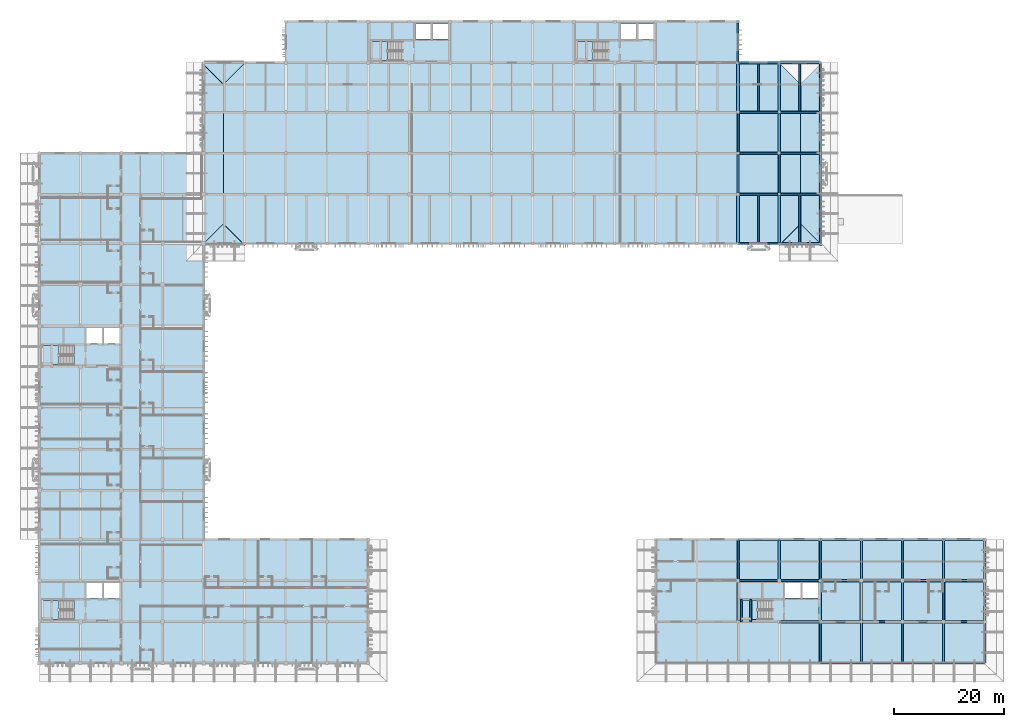
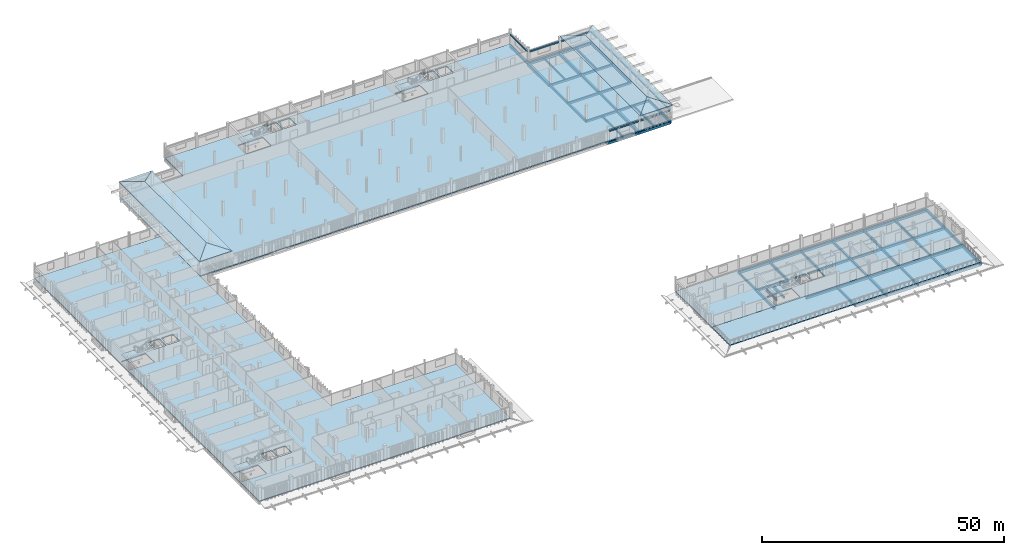
# One storey, part 10 of 43: 77 beams, 16 slabs, 7 elements without a shape of their own.
"""IFC4 building model written with IfcOpenShell, lengths in metres."""

from ifc_helpers import new_model, si_unit, direction, frame, origin, origin_2d, place, context, subcontext, project, spatial, polyline, rectangle, outline, extrude, material, layer, layer_set, material_profile, profile_set, type_object, element, aggregate, save


model = new_model("IFC4")

# Units and contexts
model_context = context("Model", 3, precision=1e-05, world=origin(), true_north=direction((0.0, 1.0)))
body_context = subcontext(model_context, "Body", "Model", "MODEL_VIEW")
ifc_project = project(units=[si_unit("LENGTHUNIT", "METRE"), si_unit("AREAUNIT", "SQUARE_METRE"), si_unit("VOLUMEUNIT", "CUBIC_METRE"), si_unit("PLANEANGLEUNIT", "RADIAN"), si_unit("MASSUNIT", "GRAM", prefix="KILO")], contexts=[model_context])

# Site, building, storey
site_placement = place(None, origin())
site = spatial("IfcSite", under=ifc_project, at=site_placement, CompositionType="ELEMENT")
building_placement = place(site_placement, origin())
building = spatial("IfcBuilding", under=site, at=building_placement, Name="Dalvernix Boulevard General Hospital", CompositionType="ELEMENT")
storey_placement = place(building_placement, frame((0.0, 0.0, 14.10009765625)))
storey = spatial("IfcBuildingStorey", under=building, at=storey_placement, Name="L03", CompositionType="ELEMENT", Elevation=14.10009765625)

# Beams
ifc_material_1 = material(Name="Concrete C35/45", Category="concrete")
ifc_material_profile_1 = material_profile(ifc_material_1, rectangle(XDim=0.5, YDim=0.699951171875, at=origin_2d()), Name="RCB 500x700")
ifc_profile_set_1 = profile_set([ifc_material_profile_1], Name="Concrete C35/45")
beam_type_1 = type_object("IfcBeamType", Name="BM-B-01-I", PredefinedType="BEAM", material=ifc_profile_set_1)
for number, where, z_axis, x_axis, name in (
    (1, (127.5, 76.5, -0.60009765625), (0.0, 1.0, 0.0), (-1.0, 0.0, 0.0), "L03 N-S girder 18:L-M"),
    (2, (127.5, 100.5, -0.60009765625), (0.0, 1.0, 0.0), (-1.0, 0.0, 0.0), "L03 N-S girder 18:P-Q"),
    (3, (135.0, 76.5, -0.60009765625), (0.0, 1.0, 0.0), (-1.0, 0.0, 0.0), "L03 N-S girder 19:L-M"),
    (4, (135.0, 100.5, -0.60009765625), (0.0, 1.0, 0.0), (-1.0, 0.0, 0.0), "L03 N-S girder 19:P-Q"),
):
    element("IfcBeam", number, at=place(storey_placement, frame(where, z_axis=z_axis, x_axis=x_axis)), inside=storey, type_object=beam_type_1, Name=name, PredefinedType="BEAM", context=body_context, shape_type="SweptSolid", body=[
        extrude(rectangle(XDim=0.5, YDim=0.699951171875, at=origin_2d()), origin(), (0.0, 0.0, 1.0), 9.0),
    ])
ifc_material_profile_2 = material_profile(ifc_material_1, rectangle(XDim=0.39990234375, YDim=0.550048828125, at=origin_2d()), Name="RCB 400x550")
ifc_profile_set_2 = profile_set([ifc_material_profile_2], Name="Concrete C35/45")
beam_type_2 = type_object("IfcBeamType", Name="BM-B-06-I", PredefinedType="BEAM", material=ifc_profile_set_2)
for number, where, z_axis, x_axis, name in (
    (5, (127.5, 7.5, -0.525146484375), (0.0, 1.0, 0.0), (-1.0, 0.0, 0.0), "L03 N-S girder 18:B-C"),
    (6, (127.5, 85.5, -0.525146484375), (0.0, 1.0, 0.0), (-1.0, 0.0, 0.0), "L03 N-S girder 18:M-N"),
    (7, (135.0, 15.0, -0.525146484375), (0.0, 1.0, 0.0), (-1.0, 0.0, 0.0), "L03 N-S girder 19:C-D"),
    (8, (135.0, 93.0, -0.525146484375), (0.0, 1.0, 0.0), (-1.0, 0.0, 0.0), "L03 N-S girder 19:N-P"),
    (9, (142.5, 7.5, -0.525146484375), (0.0, 1.0, 0.0), (-1.0, 0.0, 0.0), "L03 N-S girder 20:B-C"),
    (10, (150.0, 0.0, -0.525146484375), (0.0, 1.0, 0.0), (-1.0, 0.0, 0.0), "L03 N-S girder 21:A-B"),
    (11, (150.0, 15.0, -0.525146484375), (0.0, 1.0, 0.0), (-1.0, 0.0, 0.0), "L03 N-S girder 21:C-D"),
    (12, (157.5, 7.5, -0.525146484375), (0.0, 1.0, 0.0), (-1.0, 0.0, 0.0), "L03 N-S girder 22:B-C"),
    (13, (165.0, 0.0, -0.525146484375), (0.0, 1.0, 0.0), (-1.0, 0.0, 0.0), "L03 N-S girder 23:A-B"),
    (14, (165.0, 15.0, -0.525146484375), (0.0, 1.0, 0.0), (-1.0, 0.0, 0.0), "L03 N-S girder 23:C-D"),
):
    element("IfcBeam", number, at=place(storey_placement, frame(where, z_axis=z_axis, x_axis=x_axis)), inside=storey, type_object=beam_type_2, Name=name, PredefinedType="BEAM", context=body_context, shape_type="SweptSolid", body=[
        extrude(rectangle(XDim=0.39990234375, YDim=0.550048828125, at=origin_2d()), origin(), (0.0, 0.0, 1.0), 7.5),
    ])
ifc_material_profile_3 = material_profile(ifc_material_1, rectangle(XDim=0.35009765625, YDim=0.550048828125, at=origin_2d()), Name="RCB 350x550")
ifc_profile_set_3 = profile_set([ifc_material_profile_3], Name="Concrete C35/45")
beam_type_3 = type_object("IfcBeamType", Name="BM-B-07-I", PredefinedType="BEAM", material=ifc_profile_set_3)
for number, where, z_axis, x_axis, name in (
    (15, (135.0, 7.5, -0.525146484375), (1.0, 0.0, 0.0), (0.0, 1.0, 0.0), "L03 E-W girder B:19-20"),
    (16, (142.5, 7.5, -0.525146484375), (1.0, 0.0, 0.0), (0.0, 1.0, 0.0), "L03 E-W girder B:20-21"),
    (17, (150.0, 7.5, -0.525146484375), (1.0, 0.0, 0.0), (0.0, 1.0, 0.0), "L03 E-W girder B:21-22"),
    (18, (157.5, 7.5, -0.525146484375), (1.0, 0.0, 0.0), (0.0, 1.0, 0.0), "L03 E-W girder B:22-23"),
    (19, (165.0, 7.5, -0.525146484375), (1.0, 0.0, 0.0), (0.0, 1.0, 0.0), "L03 E-W girder B:23-24"),
    (20, (127.5, 15.0, -0.525146484375), (1.0, 0.0, 0.0), (0.0, 1.0, 0.0), "L03 E-W girder C:18-19"),
    (21, (135.0, 15.0, -0.525146484375), (1.0, 0.0, 0.0), (0.0, 1.0, 0.0), "L03 E-W girder C:19-20"),
    (22, (142.5, 15.0, -0.525146484375), (1.0, 0.0, 0.0), (0.0, 1.0, 0.0), "L03 E-W girder C:20-21"),
    (23, (150.0, 15.0, -0.525146484375), (1.0, 0.0, 0.0), (0.0, 1.0, 0.0), "L03 E-W girder C:21-22"),
    (24, (157.5, 15.0, -0.525146484375), (1.0, 0.0, 0.0), (0.0, 1.0, 0.0), "L03 E-W girder C:22-23"),
    (25, (165.0, 15.0, -0.525146484375), (1.0, 0.0, 0.0), (0.0, 1.0, 0.0), "L03 E-W girder C:23-24"),
    (26, (127.5, 85.5, -0.525146484375), (1.0, 0.0, 0.0), (0.0, 1.0, 0.0), "L03 E-W girder M:18-19"),
    (27, (135.0, 85.5, -0.525146484375), (1.0, 0.0, 0.0), (0.0, 1.0, 0.0), "L03 E-W girder M:19-20"),
    (28, (127.5, 93.0, -0.525146484375), (1.0, 0.0, 0.0), (0.0, 1.0, 0.0), "L03 E-W girder N:18-19"),
    (29, (135.0, 93.0, -0.525146484375), (1.0, 0.0, 0.0), (0.0, 1.0, 0.0), "L03 E-W girder N:19-20"),
    (30, (127.5, 100.5, -0.525146484375), (1.0, 0.0, 0.0), (0.0, 1.0, 0.0), "L03 E-W girder P:18-19"),
    (31, (135.0, 100.5, -0.525146484375), (1.0, 0.0, 0.0), (0.0, 1.0, 0.0), "L03 E-W girder P:19-20"),
):
    element("IfcBeam", number, at=place(storey_placement, frame(where, z_axis=z_axis, x_axis=x_axis)), inside=storey, type_object=beam_type_3, Name=name, PredefinedType="BEAM", context=body_context, shape_type="SweptSolid", body=[
        extrude(rectangle(XDim=0.35009765625, YDim=0.550048828125, at=origin_2d()), origin(), (0.0, 0.0, 1.0), 7.5),
    ])
ifc_material_profile_4 = material_profile(ifc_material_1, rectangle(XDim=0.35009765625, YDim=0.5, at=origin_2d()), Name="RCB 350x500")
ifc_profile_set_4 = profile_set([ifc_material_profile_4], Name="Concrete C35/45")
beam_type_4 = type_object("IfcBeamType", Name="BM-B-08", PredefinedType="BEAM", material=ifc_profile_set_4)
for number, where, z_axis, x_axis, name in (
    (32, (128.050048828125, 7.5, 1.4248046875), (0.0, 1.0, 0.0), (-1.0, 0.0, 0.0), "L03 C5 stair half-landing beam 1"),
    (33, (129.800048828125, 7.5, 1.4248046875), (0.0, 1.0, 0.0), (-1.0, 0.0, 0.0), "L03 C5 stair half-landing beam 2"),
):
    element("IfcBeam", number, at=place(storey_placement, frame(where, z_axis=z_axis, x_axis=x_axis)), inside=storey, type_object=beam_type_4, Name=name, PredefinedType="BEAM", context=body_context, shape_type="SweptSolid", body=[
        extrude(rectangle(XDim=0.35009765625, YDim=0.5, at=origin_2d()), origin(), (0.0, 0.0, 1.0), 4.10009765625),
    ])
ifc_material_profile_5 = material_profile(ifc_material_1, rectangle(XDim=0.35009765625, YDim=0.5, at=origin_2d()), Name="RCB 350x500")
ifc_profile_set_5 = profile_set([ifc_material_profile_5], Name="Concrete C35/45")
beam_type_5 = type_object("IfcBeamType", Name="BM-B-08-I", PredefinedType="BEAM", material=ifc_profile_set_5)
for number, where, z_axis, x_axis, name in (
    (34, (127.5, 15.0, -0.5), (0.0, 1.0, 0.0), (-1.0, 0.0, 0.0), "L03 N-S girder 18:C-D"),
    (35, (127.5, 93.0, -0.5), (0.0, 1.0, 0.0), (-1.0, 0.0, 0.0), "L03 N-S girder 18:N-P"),
    (36, (135.0, 85.5, -0.5), (0.0, 1.0, 0.0), (-1.0, 0.0, 0.0), "L03 N-S girder 19:M-N"),
    (37, (142.5, 0.0, -0.5), (0.0, 1.0, 0.0), (-1.0, 0.0, 0.0), "L03 N-S girder 20:A-B"),
    (38, (142.5, 15.0, -0.5), (0.0, 1.0, 0.0), (-1.0, 0.0, 0.0), "L03 N-S girder 20:C-D"),
    (39, (150.0, 7.5, -0.5), (0.0, 1.0, 0.0), (-1.0, 0.0, 0.0), "L03 N-S girder 21:B-C"),
    (40, (157.5, 0.0, -0.5), (0.0, 1.0, 0.0), (-1.0, 0.0, 0.0), "L03 N-S girder 22:A-B"),
    (41, (157.5, 15.0, -0.5), (0.0, 1.0, 0.0), (-1.0, 0.0, 0.0), "L03 N-S girder 22:C-D"),
    (42, (165.0, 7.5, -0.5), (0.0, 1.0, 0.0), (-1.0, 0.0, 0.0), "L03 N-S girder 23:B-C"),
):
    element("IfcBeam", number, at=place(storey_placement, frame(where, z_axis=z_axis, x_axis=x_axis)), inside=storey, type_object=beam_type_5, Name=name, PredefinedType="BEAM", context=body_context, shape_type="SweptSolid", body=[
        extrude(rectangle(XDim=0.35009765625, YDim=0.5, at=origin_2d()), origin(), (0.0, 0.0, 1.0), 7.5),
    ])
ifc_material_profile_6 = material_profile(ifc_material_1, rectangle(XDim=0.300048828125, YDim=0.39990234375, at=origin_2d()), Name="RCB 300x400")
ifc_profile_set_6 = profile_set([ifc_material_profile_6], Name="Concrete C35/45")
beam_type_6 = type_object("IfcBeamType", Name="BM-JB-01", PredefinedType="JOIST", material=ifc_profile_set_6)
for number, where, z_axis, x_axis, name in (
    (43, (131.25, 76.699951171875, -0.4501953125), (0.0, 1.0, 0.0), (-1.0, 0.0, 0.0), "L03 secondary floor beam 18-L"),
    (44, (131.25, 100.675048828125, -0.4501953125), (0.0, 1.0, 0.0), (-1.0, 0.0, 0.0), "L03 secondary floor beam 18-P"),
    (45, (138.75, 76.699951171875, -0.4501953125), (0.0, 1.0, 0.0), (-1.0, 0.0, 0.0), "L03 secondary floor beam 19-L"),
    (46, (138.75, 100.675048828125, -0.4501953125), (0.0, 1.0, 0.0), (-1.0, 0.0, 0.0), "L03 secondary floor beam 19-P"),
):
    element("IfcBeam", number, at=place(storey_placement, frame(where, z_axis=z_axis, x_axis=x_axis)), inside=storey, type_object=beam_type_6, Name=name, PredefinedType="JOIST", context=body_context, shape_type="SweptSolid", body=[
        extrude(rectangle(XDim=0.300048828125, YDim=0.39990234375, at=origin_2d()), origin(), (0.0, 0.0, 1.0), 8.625),
    ])
ifc_material_2 = material(Name="Precast concrete C40/50", Category="concrete")
ifc_material_profile_7 = material_profile(ifc_material_2, rectangle(XDim=0.300048828125, YDim=0.3798828125, at=origin_2d()), Name="RCL 300x380")
ifc_profile_set_7 = profile_set([ifc_material_profile_7], Name="Precast concrete C40/50")
beam_type_7 = type_object("IfcBeamType", Name="BM-LB-02", PredefinedType="LINTEL", material=ifc_profile_set_7)
beam_1_placement = place(storey_placement, frame((127.5, 116.715087890625, 2.489990234375), z_axis=(0.0, -1.0, 0.0), x_axis=(1.0, 0.0, 0.0)))
element("IfcBeam", 47, at=beam_1_placement, inside=storey, type_object=beam_type_7, Name="L03 precast window lintel E 17-14", PredefinedType="LINTEL", context=body_context, shape_type="SweptSolid", body=[
    extrude(rectangle(XDim=0.300048828125, YDim=0.3798828125, at=origin_2d()), origin(), (0.0, 0.0, 1.0), 6.955078125),
])
beam_2_placement = place(storey_placement, frame((134.764892578125, 76.5, 2.489990234375), z_axis=(-1.0, 0.0, 0.0), x_axis=(0.0, -1.0, 0.0)))
element("IfcBeam", 48, at=beam_2_placement, inside=storey, type_object=beam_type_7, Name="L03 precast window lintel S 17-10", PredefinedType="LINTEL", context=body_context, shape_type="SweptSolid", body=[
    extrude(rectangle(XDim=0.300048828125, YDim=0.3798828125, at=origin_2d()), origin(), (0.0, 0.0, 1.0), 7.02978515625),
])
beam_3_placement = place(storey_placement, frame((127.760009765625, 109.5, 2.489990234375), z_axis=(1.0, 0.0, 0.0), x_axis=(0.0, 1.0, 0.0)))
element("IfcBeam", 49, at=beam_3_placement, inside=storey, type_object=beam_type_7, Name="L03 precast window lintel N 17-14", PredefinedType="LINTEL", context=body_context, shape_type="SweptSolid", body=[
    extrude(rectangle(XDim=0.300048828125, YDim=0.3798828125, at=origin_2d()), origin(), (0.0, 0.0, 1.0), 6.955078125),
])
beam_4_placement = place(storey_placement, frame((142.264892578125, 76.5, 2.489990234375), z_axis=(-1.0, 0.0, 0.0), x_axis=(0.0, -1.0, 0.0)))
element("IfcBeam", 50, at=beam_4_placement, inside=storey, type_object=beam_type_7, Name="L03 precast window lintel S 18-10", PredefinedType="LINTEL", context=body_context, shape_type="SweptSolid", body=[
    extrude(rectangle(XDim=0.300048828125, YDim=0.3798828125, at=origin_2d()), origin(), (0.0, 0.0, 1.0), 7.02978515625),
])
beam_5_placement = place(storey_placement, frame((142.5, 85.264892578125, 2.489990234375), z_axis=(0.0, -1.0, 0.0), x_axis=(1.0, 0.0, 0.0)))
element("IfcBeam", 51, at=beam_5_placement, inside=storey, type_object=beam_type_7, Name="L03 precast window lintel E 19-10", PredefinedType="LINTEL", context=body_context, shape_type="SweptSolid", body=[
    extrude(rectangle(XDim=0.300048828125, YDim=0.3798828125, at=origin_2d()), origin(), (0.0, 0.0, 1.0), 8.52978515625),
])
for number, where, z_axis, x_axis, name in (
    (52, (142.5, 92.764892578125, 2.489990234375), (0.0, -1.0, 0.0), (1.0, 0.0, 0.0), "L03 precast window lintel E 19-11"),
    (53, (142.5, 100.264892578125, 2.489990234375), (0.0, -1.0, 0.0), (1.0, 0.0, 0.0), "L03 precast window lintel E 19-12"),
):
    element("IfcBeam", number, at=place(storey_placement, frame(where, z_axis=z_axis, x_axis=x_axis)), inside=storey, type_object=beam_type_7, Name=name, PredefinedType="LINTEL", context=body_context, shape_type="SweptSolid", body=[
        extrude(rectangle(XDim=0.300048828125, YDim=0.3798828125, at=origin_2d()), origin(), (0.0, 0.0, 1.0), 7.02978515625),
    ])
beam_6_placement = place(storey_placement, frame((135.284912109375, 109.5, 2.489990234375), z_axis=(1.0, 0.0, 0.0), x_axis=(0.0, 1.0, 0.0)))
element("IfcBeam", 54, at=beam_6_placement, inside=storey, type_object=beam_type_7, Name="L03 precast window lintel N 18-14", PredefinedType="LINTEL", context=body_context, shape_type="SweptSolid", body=[
    extrude(rectangle(XDim=0.300048828125, YDim=0.3798828125, at=origin_2d()), origin(), (0.0, 0.0, 1.0), 6.97998046875),
])
beam_7_placement = place(storey_placement, frame((142.5, 109.264892578125, 2.489990234375), z_axis=(0.0, -1.0, 0.0), x_axis=(1.0, 0.0, 0.0)))
element("IfcBeam", 55, at=beam_7_placement, inside=storey, type_object=beam_type_7, Name="L03 precast window lintel E 19-13", PredefinedType="LINTEL", context=body_context, shape_type="SweptSolid", body=[
    extrude(rectangle(XDim=0.300048828125, YDim=0.3798828125, at=origin_2d()), origin(), (0.0, 0.0, 1.0), 8.52978515625),
])
ifc_material_profile_8 = material_profile(ifc_material_1, rectangle(XDim=0.35009765625, YDim=0.550048828125, at=origin_2d()), Name="RCB 350x550")
ifc_profile_set_8 = profile_set([ifc_material_profile_8], Name="Concrete C35/45")
beam_type_8 = type_object("IfcBeamType", Name="BM-SB-01-E", PredefinedType="SPANDREL", material=ifc_profile_set_8)
for number, where, z_axis, x_axis, name in (
    (56, (142.5, 76.5, -0.525146484375), (0.0, 1.0, 0.0), (-1.0, 0.0, 0.0), "L03 N-S girder 20:L-M"),
    (57, (142.5, 100.5, -0.525146484375), (0.0, 1.0, 0.0), (-1.0, 0.0, 0.0), "L03 N-S girder 20:P-Q"),
):
    element("IfcBeam", number, at=place(storey_placement, frame(where, z_axis=z_axis, x_axis=x_axis)), inside=storey, type_object=beam_type_8, Name=name, PredefinedType="SPANDREL", context=body_context, shape_type="SweptSolid", body=[
        extrude(rectangle(XDim=0.35009765625, YDim=0.550048828125, at=origin_2d()), origin(), (0.0, 0.0, 1.0), 9.0),
    ])
ifc_material_profile_9 = material_profile(ifc_material_1, rectangle(XDim=0.39990234375, YDim=0.60009765625, at=origin_2d()), Name="RCB 400x600")
ifc_profile_set_9 = profile_set([ifc_material_profile_9], Name="Concrete C35/45")
beam_type_9 = type_object("IfcBeamType", Name="BM-SB-02-E", PredefinedType="SPANDREL", material=ifc_profile_set_9)
for number, where, z_axis, x_axis, name in (
    (58, (142.5, 0.0, -0.550048828125), (1.0, 0.0, 0.0), (0.0, 1.0, 0.0), "L03 E-W girder A:20-21"),
    (59, (150.0, 0.0, -0.550048828125), (1.0, 0.0, 0.0), (0.0, 1.0, 0.0), "L03 E-W girder A:21-22"),
    (60, (157.5, 0.0, -0.550048828125), (1.0, 0.0, 0.0), (0.0, 1.0, 0.0), "L03 E-W girder A:22-23"),
    (61, (165.0, 0.0, -0.550048828125), (1.0, 0.0, 0.0), (0.0, 1.0, 0.0), "L03 E-W girder A:23-24"),
    (62, (127.5, 22.5, -0.550048828125), (1.0, 0.0, 0.0), (0.0, 1.0, 0.0), "L03 E-W girder D:18-19"),
    (63, (135.0, 22.5, -0.550048828125), (1.0, 0.0, 0.0), (0.0, 1.0, 0.0), "L03 E-W girder D:19-20"),
    (64, (142.5, 22.5, -0.550048828125), (1.0, 0.0, 0.0), (0.0, 1.0, 0.0), "L03 E-W girder D:20-21"),
    (65, (150.0, 22.5, -0.550048828125), (1.0, 0.0, 0.0), (0.0, 1.0, 0.0), "L03 E-W girder D:21-22"),
    (66, (157.5, 22.5, -0.550048828125), (1.0, 0.0, 0.0), (0.0, 1.0, 0.0), "L03 E-W girder D:22-23"),
    (67, (165.0, 22.5, -0.550048828125), (1.0, 0.0, 0.0), (0.0, 1.0, 0.0), "L03 E-W girder D:23-24"),
    (68, (127.5, 76.5, -0.550048828125), (1.0, 0.0, 0.0), (0.0, 1.0, 0.0), "L03 E-W girder L:18-19"),
    (69, (135.0, 76.5, -0.550048828125), (1.0, 0.0, 0.0), (0.0, 1.0, 0.0), "L03 E-W girder L:19-20"),
    (70, (127.5, 109.5, -0.550048828125), (1.0, 0.0, 0.0), (0.0, 1.0, 0.0), "L03 E-W girder Q:18-19"),
    (71, (135.0, 109.5, -0.550048828125), (1.0, 0.0, 0.0), (0.0, 1.0, 0.0), "L03 E-W girder Q:19-20"),
    (72, (127.5, 109.5, -0.550048828125), (0.0, 1.0, 0.0), (-1.0, 0.0, 0.0), "L03 N-S girder 18:Q-R"),
    (73, (142.5, 85.5, -0.550048828125), (0.0, 1.0, 0.0), (-1.0, 0.0, 0.0), "L03 N-S girder 20:M-N"),
    (74, (142.5, 93.0, -0.550048828125), (0.0, 1.0, 0.0), (-1.0, 0.0, 0.0), "L03 N-S girder 20:N-P"),
    (75, (172.5, 0.0, -0.550048828125), (0.0, 1.0, 0.0), (-1.0, 0.0, 0.0), "L03 N-S girder 24:A-B"),
    (76, (172.5, 7.5, -0.550048828125), (0.0, 1.0, 0.0), (-1.0, 0.0, 0.0), "L03 N-S girder 24:B-C"),
    (77, (172.5, 15.0, -0.550048828125), (0.0, 1.0, 0.0), (-1.0, 0.0, 0.0), "L03 N-S girder 24:C-D"),
):
    element("IfcBeam", number, at=place(storey_placement, frame(where, z_axis=z_axis, x_axis=x_axis)), inside=storey, type_object=beam_type_9, Name=name, PredefinedType="SPANDREL", context=body_context, shape_type="SweptSolid", body=[
        extrude(rectangle(XDim=0.39990234375, YDim=0.60009765625, at=origin_2d()), origin(), (0.0, 0.0, 1.0), 7.5),
    ])

# Slabs
ifc_layer_1 = layer(ifc_material_1, 0.25)
ifc_layer_set_1 = layer_set([ifc_layer_1], Name="Concrete C35/45 (SLB-FS-05)")
slab_type_1 = type_object("IfcSlabType", Name="SLB-FS-05", PredefinedType="FLOOR", material=ifc_layer_set_1)
slab_1_placement = place(storey_placement, frame((0.0, 0.0, -0.25)))
element("IfcSlab", 78, at=slab_1_placement, inside=storey, type_object=slab_type_1, Name="L03 V3 structural floor slab 1", PredefinedType="FLOOR", context=body_context, shape_type="SweptSolid", body=[
    extrude(outline(polyline([(30.0, 93.0), (30.0, 100.5), (30.0, 109.5), (37.5, 109.5), (45.0, 109.5), (45.0, 117.0), (52.5, 117.0), (60.0, 117.0), (67.5, 117.0), (75.0, 117.0), (82.5, 117.0), (90.0, 117.0), (97.5, 117.0), (105.0, 117.0), (112.5, 117.0), (120.0, 117.0), (127.5, 117.0), (127.5, 109.5), (135.0, 109.5), (142.5, 109.5), (142.5, 100.5), (142.5, 93.0), (142.5, 85.5), (142.5, 76.5), (135.0, 76.5), (127.5, 76.5), (120.0, 76.5), (112.5, 76.5), (105.0, 76.5), (97.5, 76.5), (90.0, 76.5), (82.5, 76.5), (75.0, 76.5), (67.5, 76.5), (60.0, 76.5), (52.5, 76.5), (45.0, 76.5), (37.5, 76.5), (30.0, 76.5), (30.0, 85.5), (30.0, 93.0)]), holes=[polyline([(60.39990234375, 113.39990234375), (60.39990234375, 109.89990234375), (66.2900390625, 109.89990234375), (66.2900390625, 113.39990234375), (60.39990234375, 113.39990234375)]), polyline([(71.39990234375, 116.60009765625), (68.60009765625, 116.60009765625), (68.60009765625, 113.800048828125), (71.39990234375, 113.800048828125), (71.39990234375, 116.60009765625)]), polyline([(74.60009765625, 113.800048828125), (74.60009765625, 116.60009765625), (71.800048828125, 116.60009765625), (71.800048828125, 113.800048828125), (74.60009765625, 113.800048828125)]), polyline([(97.89990234375, 109.89990234375), (103.7900390625, 109.89990234375), (103.7900390625, 113.39990234375), (97.89990234375, 113.39990234375), (97.89990234375, 109.89990234375)]), polyline([(106.10009765625, 116.60009765625), (106.10009765625, 113.800048828125), (108.89990234375, 113.800048828125), (108.89990234375, 116.60009765625), (106.10009765625, 116.60009765625)]), polyline([(112.10009765625, 116.60009765625), (109.300048828125, 116.60009765625), (109.300048828125, 113.800048828125), (112.10009765625, 113.800048828125), (112.10009765625, 116.60009765625)])]), origin(), (0.0, 0.0, 1.0), 0.25),
])
slab_2_placement = place(storey_placement, frame((0.0, 0.0, -0.25)))
element("IfcSlab", 79, at=slab_2_placement, inside=storey, type_object=slab_type_1, Name="L03 V4 structural floor slab 1", PredefinedType="FLOOR", context=body_context, shape_type="SweptSolid", body=[
    extrude(outline(polyline([(0.0, 69.0), (0.0, 76.5), (0.0, 85.5), (0.0, 93.0), (7.5, 93.0), (15.0, 93.0), (22.5, 93.0), (30.0, 93.0), (30.0, 85.5), (30.0, 76.5), (30.0, 69.0), (30.0, 61.5), (30.0, 54.0), (30.0, 46.5), (30.0, 39.0), (30.0, 31.5), (30.0, 22.5), (37.5, 22.5), (45.0, 22.5), (52.5, 22.5), (60.0, 22.5), (60.0, 15.0), (60.0, 7.5), (60.0, 0.0), (52.5, 0.0), (45.0, 0.0), (37.5, 0.0), (30.0, 0.0), (22.5, 0.0), (15.0, 0.0), (7.5, 0.0), (0.0, 0.0), (0.0, 7.5), (0.0, 15.0), (0.0, 22.5), (0.0, 31.5), (0.0, 39.0), (0.0, 46.5), (0.0, 54.0), (0.0, 61.5), (0.0, 69.0)]), holes=[polyline([(0.39990234375, 11.39990234375), (0.39990234375, 7.89990234375), (6.2900390625, 7.89990234375), (6.2900390625, 11.39990234375), (0.39990234375, 11.39990234375)]), polyline([(11.39990234375, 14.60009765625), (8.60009765625, 14.60009765625), (8.60009765625, 11.800048828125), (11.39990234375, 11.800048828125), (11.39990234375, 14.60009765625)]), polyline([(14.60009765625, 11.800048828125), (14.60009765625, 14.60009765625), (11.800048828125, 14.60009765625), (11.800048828125, 11.800048828125), (14.60009765625, 11.800048828125)]), polyline([(0.39990234375, 54.39990234375), (6.2900390625, 54.39990234375), (6.2900390625, 57.89990234375), (0.39990234375, 57.89990234375), (0.39990234375, 54.39990234375)]), polyline([(8.60009765625, 61.10009765625), (8.60009765625, 58.300048828125), (11.39990234375, 58.300048828125), (11.39990234375, 61.10009765625), (8.60009765625, 61.10009765625)]), polyline([(14.60009765625, 61.10009765625), (11.800048828125, 61.10009765625), (11.800048828125, 58.300048828125), (14.60009765625, 58.300048828125), (14.60009765625, 61.10009765625)])]), origin(), (0.0, 0.0, 1.0), 0.25),
])
slab_3_placement = place(storey_placement, frame((0.0, 0.0, -0.25)))
element("IfcSlab", 80, at=slab_3_placement, inside=storey, type_object=slab_type_1, Name="L03 V5 structural floor slab 1", PredefinedType="FLOOR", context=body_context, shape_type="SweptSolid", body=[
    extrude(outline(polyline([(112.5, 7.5), (112.5, 15.0), (112.5, 22.5), (120.0, 22.5), (127.5, 22.5), (135.0, 22.5), (142.5, 22.5), (150.0, 22.5), (157.5, 22.5), (165.0, 22.5), (172.5, 22.5), (172.5, 15.0), (172.5, 7.5), (165.0, 7.5), (157.5, 7.5), (150.0, 7.5), (142.5, 7.5), (135.0, 7.5), (127.5, 7.5), (120.0, 7.5), (112.5, 7.5)]), holes=[polyline([(127.89990234375, 7.89990234375), (133.7900390625, 7.89990234375), (133.7900390625, 11.39990234375), (127.89990234375, 11.39990234375), (127.89990234375, 7.89990234375)]), polyline([(136.10009765625, 14.60009765625), (136.10009765625, 11.800048828125), (138.89990234375, 11.800048828125), (138.89990234375, 14.60009765625), (136.10009765625, 14.60009765625)]), polyline([(142.10009765625, 14.60009765625), (139.300048828125, 14.60009765625), (139.300048828125, 11.800048828125), (142.10009765625, 11.800048828125), (142.10009765625, 14.60009765625)])]), origin(), (0.0, 0.0, 1.0), 0.25),
])

# Stair, slab
stair_type = type_object("IfcStairType", Name="IFCSTAIR-STC-165x375", PredefinedType="HALF_TURN_STAIR", material=ifc_material_2)
stair_1_placement = place(storey_placement, origin())
stair_1 = element("IfcStair", 81, at=stair_1_placement, inside=storey, type_object=stair_type, Name="L03 Core C1 Exit Stair ST-01", PredefinedType="HALF_TURN_STAIR")
ifc_layer_2 = layer(ifc_material_2, 0.199951171875)
ifc_layer_set_2 = layer_set([ifc_layer_2], Name="Precast concrete C40/50 (SLB-LND-01)")
slab_type_2 = type_object("IfcSlabType", Name="SLB-LND-01", PredefinedType="LANDING", material=ifc_layer_set_2)
slab_4_placement = place(storey_placement, frame((0.0, 0.0, 1.6748046875)))
slab_4 = element("IfcSlab", 82, at=slab_4_placement, type_object=slab_type_2, Name="ST-01 landing 1", PredefinedType="LANDING", context=body_context, shape_type="SweptSolid", body=[
    extrude(outline(polyline([(3.550048828125, 11.39990234375), (0.39990234375, 11.39990234375), (0.39990234375, 7.89990234375), (3.550048828125, 7.89990234375), (3.550048828125, 11.39990234375)])), origin(), (0.0, 0.0, 1.0), 0.2001953125),
])
aggregate(stair_1, [slab_4])

stair_2_placement = place(storey_placement, origin())
stair_2 = element("IfcStair", 83, at=stair_2_placement, inside=storey, type_object=stair_type, Name="L03 Core C2 Exit Stair ST-02", PredefinedType="HALF_TURN_STAIR")
slab_5_placement = place(storey_placement, frame((0.0, 0.0, 1.6748046875)))
slab_5 = element("IfcSlab", 84, at=slab_5_placement, type_object=slab_type_2, Name="ST-02 landing 1", PredefinedType="LANDING", context=body_context, shape_type="SweptSolid", body=[
    extrude(outline(polyline([(3.550048828125, 57.89990234375), (0.39990234375, 57.89990234375), (0.39990234375, 54.39990234375), (3.550048828125, 54.39990234375), (3.550048828125, 57.89990234375)])), origin(), (0.0, 0.0, 1.0), 0.2001953125),
])
aggregate(stair_2, [slab_5])

stair_3_placement = place(storey_placement, origin())
stair_3 = element("IfcStair", 85, at=stair_3_placement, inside=storey, type_object=stair_type, Name="L03 Core C3 Exit Stair ST-03", PredefinedType="HALF_TURN_STAIR")
slab_6_placement = place(storey_placement, frame((0.0, 0.0, 1.6748046875)))
slab_6 = element("IfcSlab", 86, at=slab_6_placement, type_object=slab_type_2, Name="ST-03 landing 1", PredefinedType="LANDING", context=body_context, shape_type="SweptSolid", body=[
    extrude(outline(polyline([(63.550048828125, 113.39990234375), (60.39990234375, 113.39990234375), (60.39990234375, 109.89990234375), (63.550048828125, 109.89990234375), (63.550048828125, 113.39990234375)])), origin(), (0.0, 0.0, 1.0), 0.2001953125),
])
aggregate(stair_3, [slab_6])

stair_4_placement = place(storey_placement, origin())
stair_4 = element("IfcStair", 87, at=stair_4_placement, inside=storey, type_object=stair_type, Name="L03 Core C4 Exit Stair ST-04", PredefinedType="HALF_TURN_STAIR")
slab_7_placement = place(storey_placement, frame((0.0, 0.0, 1.6748046875)))
slab_7 = element("IfcSlab", 88, at=slab_7_placement, type_object=slab_type_2, Name="ST-04 landing 1", PredefinedType="LANDING", context=body_context, shape_type="SweptSolid", body=[
    extrude(outline(polyline([(101.050048828125, 113.39990234375), (97.89990234375, 113.39990234375), (97.89990234375, 109.89990234375), (101.050048828125, 109.89990234375), (101.050048828125, 113.39990234375)])), origin(), (0.0, 0.0, 1.0), 0.2001953125),
])
aggregate(stair_4, [slab_7])

stair_5_placement = place(storey_placement, origin())
stair_5 = element("IfcStair", 89, at=stair_5_placement, inside=storey, type_object=stair_type, Name="L03 Core C5 Exit Stair ST-05", PredefinedType="HALF_TURN_STAIR")
slab_8_placement = place(storey_placement, frame((0.0, 0.0, 1.6748046875)))
slab_8 = element("IfcSlab", 90, at=slab_8_placement, type_object=slab_type_2, Name="ST-05 landing 1", PredefinedType="LANDING", context=body_context, shape_type="SweptSolid", body=[
    extrude(outline(polyline([(131.050048828125, 11.39990234375), (127.89990234375, 11.39990234375), (127.89990234375, 7.89990234375), (131.050048828125, 7.89990234375), (131.050048828125, 11.39990234375)])), origin(), (0.0, 0.0, 1.0), 0.2001953125),
])
aggregate(stair_5, [slab_8])

# Roof, slabs
ifc_material_3 = material(Name="Polychrome Catalan glazed terracotta tile roof system", Category="masonry")
roof_type = type_object("IfcRoofType", Name="ROOF-HIP-01", PredefinedType="HIP_ROOF", material=ifc_material_3)
roof_1_placement = place(storey_placement, origin())
roof_1 = element("IfcRoof", 91, at=roof_1_placement, inside=storey, type_object=roof_type, Name="V3-L03W Hipped Ceramic Roof", PredefinedType="HIP_ROOF")
ifc_material_4 = material(Name="Glulam GL28h", Category="wood")
ifc_layer_3 = layer(ifc_material_4, 0.159912109375)
ifc_layer_set_3 = layer_set([ifc_layer_3], Name="Glulam GL28h (SLB-RS-04)")
slab_type_3 = type_object("IfcSlabType", Name="SLB-RS-04", PredefinedType="ROOF", material=ifc_layer_set_3)
slab_9_placement = place(storey_placement, frame((29.64990234375, 109.5, 3.916015625), z_axis=(-0.265536966303, 0.0, 0.964100679144), x_axis=(0.0, -1.0, 0.0)))
slab_9 = element("IfcSlab", 92, at=slab_9_placement, type_object=slab_type_3, Name="V3-L03W hipped roof slab W", PredefinedType="ROOF", context=body_context, shape_type="SweptSolid", body=[
    extrude(outline(polyline([(0.0, 0.0), (33.35009765625, 0.0), (29.425048828125, 4.07120222299644), (3.925048828125, 4.07120222299644), (0.0, 0.0)])), origin(), (0.0, 0.0, -1.0), 0.159912109375),
])
slab_10_placement = place(storey_placement, frame((37.5, 76.14990234375, 3.916015625), z_axis=(0.265536966303, 0.0, 0.964100679144), x_axis=(0.0, 1.0, 0.0)))
slab_10 = element("IfcSlab", 93, at=slab_10_placement, type_object=slab_type_3, Name="V3-L03W hipped roof slab E", PredefinedType="ROOF", context=body_context, shape_type="SweptSolid", body=[
    extrude(outline(polyline([(0.0, 0.0), (33.35009765625, 0.0), (29.425048828125, 4.07120222299644), (3.925048828125, 4.07120222299644), (0.0, 0.0)])), origin(), (0.0, 0.0, -1.0), 0.159912109375),
])
slab_11_placement = place(storey_placement, frame((29.64990234375, 76.14990234375, 3.916015625), z_axis=(0.0, -0.265536966303, 0.964100679144), x_axis=(1.0, 0.0, 0.0)))
slab_11 = element("IfcSlab", 94, at=slab_11_placement, type_object=slab_type_3, Name="V3-L03W hipped roof slab S", PredefinedType="ROOF", context=body_context, shape_type="SweptSolid", body=[
    extrude(outline(polyline([(0.0, 0.0), (7.85009765625, 0.0), (3.925048828125, 4.07120222299644), (0.0, 0.0)])), origin(), (0.0, 0.0, -1.0), 0.159912109375),
])
slab_12_placement = place(storey_placement, frame((37.5, 109.5, 3.916015625), z_axis=(0.0, 0.265536966303, 0.964100679144), x_axis=(-1.0, 0.0, 0.0)))
slab_12 = element("IfcSlab", 95, at=slab_12_placement, type_object=slab_type_3, Name="V3-L03W hipped roof slab N", PredefinedType="ROOF", context=body_context, shape_type="SweptSolid", body=[
    extrude(outline(polyline([(0.0, 0.0), (7.85009765625, 0.0), (3.925048828125, 4.07120222299644), (0.0, 0.0)])), origin(), (0.0, 0.0, -1.0), 0.159912109375),
])
aggregate(roof_1, [slab_9, slab_10, slab_11, slab_12])

roof_2_placement = place(storey_placement, origin())
roof_2 = element("IfcRoof", 96, at=roof_2_placement, inside=storey, type_object=roof_type, Name="V3-L03E Hipped Ceramic Roof", PredefinedType="HIP_ROOF")
slab_13_placement = place(storey_placement, frame((135.0, 109.5, 3.916015625), z_axis=(-0.265536966303, 0.0, 0.964100679144), x_axis=(0.0, -1.0, 0.0)))
slab_13 = element("IfcSlab", 97, at=slab_13_placement, type_object=slab_type_3, Name="V3-L03E hipped roof slab W", PredefinedType="ROOF", context=body_context, shape_type="SweptSolid", body=[
    extrude(outline(polyline([(0.0, 0.0), (33.35009765625, 0.0), (29.425048828125, 4.07120222299644), (3.925048828125, 4.07120222299644), (0.0, 0.0)])), origin(), (0.0, 0.0, -1.0), 0.159912109375),
])
slab_14_placement = place(storey_placement, frame((142.85009765625, 76.14990234375, 3.916015625), z_axis=(0.265536966303, 0.0, 0.964100679144), x_axis=(0.0, 1.0, 0.0)))
slab_14 = element("IfcSlab", 98, at=slab_14_placement, type_object=slab_type_3, Name="V3-L03E hipped roof slab E", PredefinedType="ROOF", context=body_context, shape_type="SweptSolid", body=[
    extrude(outline(polyline([(0.0, 0.0), (33.35009765625, 0.0), (29.425048828125, 4.07120222299644), (3.925048828125, 4.07120222299644), (0.0, 0.0)])), origin(), (0.0, 0.0, -1.0), 0.159912109375),
])
slab_15_placement = place(storey_placement, frame((135.0, 76.14990234375, 3.916015625), z_axis=(0.0, -0.265536966303, 0.964100679144), x_axis=(1.0, 0.0, 0.0)))
slab_15 = element("IfcSlab", 99, at=slab_15_placement, type_object=slab_type_3, Name="V3-L03E hipped roof slab S", PredefinedType="ROOF", context=body_context, shape_type="SweptSolid", body=[
    extrude(outline(polyline([(0.0, 0.0), (7.85009765625, 0.0), (3.925048828125, 4.07120222299644), (0.0, 0.0)])), origin(), (0.0, 0.0, -1.0), 0.159912109375),
])
aggregate(roof_2, [slab_13, slab_14, slab_15])

# Slab
ifc_layer_4 = layer(ifc_material_1, 0.239990234375)
ifc_layer_set_4 = layer_set([ifc_layer_4], Name="Concrete C35/45 (SLB-TS-01)")
slab_type_4 = type_object("IfcSlabType", Name="SLB-TS-01", PredefinedType="FLOOR", material=ifc_layer_set_4)
slab_16_placement = place(storey_placement, frame((0.0, 0.0, -0.239990234375)))
element("IfcSlab", 100, at=slab_16_placement, inside=storey, type_object=slab_type_4, Name="L03 walkable ward roof terrace 1", PredefinedType="FLOOR", context=body_context, shape_type="SweptSolid", body=[
    extrude(outline(polyline([(120.0, 7.5), (127.5, 7.5), (135.0, 7.5), (142.5, 7.5), (150.0, 7.5), (157.5, 7.5), (165.0, 7.5), (172.5, 7.5), (172.5, 0.0), (165.0, 0.0), (157.5, 0.0), (150.0, 0.0), (142.5, 0.0), (135.0, 0.0), (127.5, 0.0), (120.0, 0.0), (112.5, 0.0), (112.5, 7.5), (120.0, 7.5)])), origin(), (0.0, 0.0, 1.0), 0.239990234375),
])

save(model, "model.ifc")
